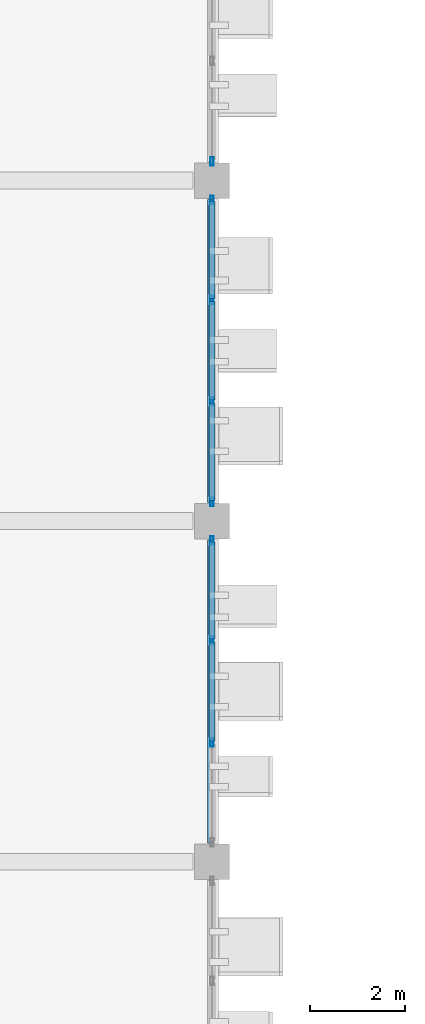
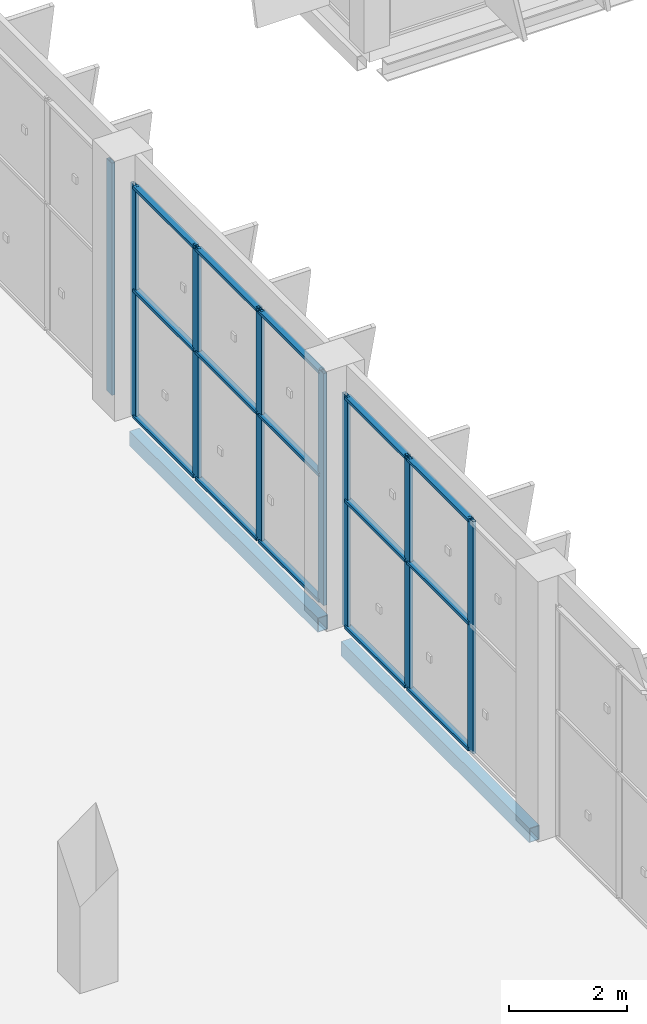
# One storey, part 73 of 189: 23 members, 2 beams, 3 elements without a shape of their own.
"""IFC4 building model written with IfcOpenShell, lengths in metres."""

from ifc_helpers import new_model, si_unit, direction, frame, origin, origin_2d, place, context, subcontext, project, spatial, hollow_rectangle, extrude, material, layer, layer_set, material_profile, profile_set, type_object, element, aggregate, save


model = new_model("IFC4")

# Units and contexts
model_context = context("Model", 3, precision=1e-05, world=origin(), true_north=direction((0.0, 1.0)))
body_context = subcontext(model_context, "Body", "Model", "MODEL_VIEW")
ifc_project = project(units=[si_unit("LENGTHUNIT", "METRE"), si_unit("AREAUNIT", "SQUARE_METRE"), si_unit("VOLUMEUNIT", "CUBIC_METRE"), si_unit("PLANEANGLEUNIT", "RADIAN"), si_unit("MASSUNIT", "GRAM", prefix="KILO")], contexts=[model_context])

# Site, building, storey
site_placement = place(None, origin())
site = spatial("IfcSite", under=ifc_project, at=site_placement, CompositionType="ELEMENT")
building_placement = place(site_placement, origin())
building = spatial("IfcBuilding", under=site, at=building_placement, Name="Celestram Park Convention Centre", CompositionType="ELEMENT")
storey_placement = place(building_placement, frame((0.0, 0.0, 5.39990234375)))
storey = spatial("IfcBuildingStorey", under=building, at=storey_placement, Name="L01", CompositionType="ELEMENT", Elevation=5.39990234375)

# Curtain wall, member
ifc_material_1 = material(Name="Anodised Aluminium Alloy 6063-T6", Category="aluminium")
ifc_layer = layer(ifc_material_1, 0.179931640625)
ifc_layer_set = layer_set([ifc_layer], Name="Anodised Aluminium Alloy 6063-T6")
curtain_wall_type = type_object("IfcCurtainWallType", Name="ARC-CW-645X482", PredefinedType="NOTDEFINED", material=ifc_layer_set)
curtain_wall_1_placement = place(storey_placement, origin())
curtain_wall_1 = element("IfcCurtainWall", 1, at=curtain_wall_1_placement, inside=storey, type_object=curtain_wall_type, Name="Unitised curtain wall CU-L01-087", PredefinedType="NOTDEFINED")
ifc_material_profile_1 = material_profile(ifc_material_1, hollow_rectangle(XDim=0.06494140625, YDim=0.179931640625, WallThickness=0.00390625, at=origin_2d()), Name="ALU65X180X4")
ifc_profile_set_1 = profile_set([ifc_material_profile_1], Name="Anodised Aluminium Alloy 6063-T6")
member_type_1 = type_object("IfcMemberType", Name="ARC-CWM-150", PredefinedType="MULLION", material=ifc_profile_set_1)
member_1_placement = place(storey_placement, frame((144.0, 108.405517578125, 0.0), z_axis=(0.0, 0.0, 1.0), x_axis=(1.0, 0.0, 0.0)))
member_1 = element("IfcMember", 2, at=member_1_placement, type_object=member_type_1, Name="CW-64X48 mullion 4", PredefinedType="MULLION", context=body_context, shape_type="SweptSolid", body=[
    extrude(hollow_rectangle(XDim=0.06494140625, YDim=0.179931640625, WallThickness=0.00390625, at=origin_2d()), origin(), (0.0, 0.0, 1.0), 4.820068359375),
])
aggregate(curtain_wall_1, [member_1])

# Curtain wall, members
curtain_wall_2_placement = place(storey_placement, origin())
curtain_wall_2 = element("IfcCurtainWall", 3, at=curtain_wall_2_placement, inside=storey, type_object=curtain_wall_type, Name="Unitised curtain wall CU-L01-088", PredefinedType="NOTDEFINED")
member_2_placement = place(storey_placement, frame((144.0, 107.594482421875, 0.0), z_axis=(0.0, 0.0, 1.0), x_axis=(1.0, 0.0, 0.0)))
member_2 = element("IfcMember", 4, at=member_2_placement, type_object=member_type_1, Name="CW-64X48 mullion 1", PredefinedType="MULLION", context=body_context, shape_type="SweptSolid", body=[
    extrude(hollow_rectangle(XDim=0.06494140625, YDim=0.179931640625, WallThickness=0.00390625, at=origin_2d()), origin(), (0.0, 0.0, 1.0), 4.820068359375),
])
member_3_placement = place(storey_placement, frame((144.0, 105.4755859375, 0.0), z_axis=(0.0, 0.0, 1.0), x_axis=(1.0, 0.0, 0.0)))
member_3 = element("IfcMember", 5, at=member_3_placement, type_object=member_type_1, Name="CW-64X48 mullion 2", PredefinedType="MULLION", context=body_context, shape_type="SweptSolid", body=[
    extrude(hollow_rectangle(XDim=0.06494140625, YDim=0.179931640625, WallThickness=0.00390625, at=origin_2d()), origin(), (0.0, 0.0, 1.0), 4.820068359375),
])
member_4_placement = place(storey_placement, frame((144.0, 103.32421875, 0.0), z_axis=(0.0, 0.0, 1.0), x_axis=(1.0, 0.0, 0.0)))
member_4 = element("IfcMember", 6, at=member_4_placement, type_object=member_type_1, Name="CW-64X48 mullion 3", PredefinedType="MULLION", context=body_context, shape_type="SweptSolid", body=[
    extrude(hollow_rectangle(XDim=0.06494140625, YDim=0.179931640625, WallThickness=0.00390625, at=origin_2d()), origin(), (0.0, 0.0, 1.0), 4.820068359375),
])
member_5_placement = place(storey_placement, frame((144.0, 101.20556640625, 0.0), z_axis=(0.0, 0.0, 1.0), x_axis=(1.0, 0.0, 0.0)))
member_5 = element("IfcMember", 7, at=member_5_placement, type_object=member_type_1, Name="CW-64X48 mullion 4", PredefinedType="MULLION", context=body_context, shape_type="SweptSolid", body=[
    extrude(hollow_rectangle(XDim=0.06494140625, YDim=0.179931640625, WallThickness=0.00390625, at=origin_2d()), origin(), (0.0, 0.0, 1.0), 4.820068359375),
])

curtain_wall_3_placement = place(storey_placement, origin())
curtain_wall_3 = element("IfcCurtainWall", 8, at=curtain_wall_3_placement, inside=storey, type_object=curtain_wall_type, Name="Unitised curtain wall CU-L01-089", PredefinedType="NOTDEFINED")
member_6_placement = place(storey_placement, frame((144.0, 100.39453125, 0.0), z_axis=(0.0, 0.0, 1.0), x_axis=(1.0, 0.0, 0.0)))
member_6 = element("IfcMember", 9, at=member_6_placement, type_object=member_type_1, Name="CW-64X48 mullion 1", PredefinedType="MULLION", context=body_context, shape_type="SweptSolid", body=[
    extrude(hollow_rectangle(XDim=0.06494140625, YDim=0.179931640625, WallThickness=0.00390625, at=origin_2d()), origin(), (0.0, 0.0, 1.0), 4.820068359375),
])
member_7_placement = place(storey_placement, frame((144.0, 98.275634765625, 0.0), z_axis=(0.0, 0.0, 1.0), x_axis=(1.0, 0.0, 0.0)))
member_7 = element("IfcMember", 10, at=member_7_placement, type_object=member_type_1, Name="CW-64X48 mullion 2", PredefinedType="MULLION", context=body_context, shape_type="SweptSolid", body=[
    extrude(hollow_rectangle(XDim=0.06494140625, YDim=0.179931640625, WallThickness=0.00390625, at=origin_2d()), origin(), (0.0, 0.0, 1.0), 4.820068359375),
])
member_8_placement = place(storey_placement, frame((144.0, 96.124267578125, 0.0), z_axis=(0.0, 0.0, 1.0), x_axis=(1.0, 0.0, 0.0)))
member_8 = element("IfcMember", 11, at=member_8_placement, type_object=member_type_1, Name="CW-64X48 mullion 3", PredefinedType="MULLION", context=body_context, shape_type="SweptSolid", body=[
    extrude(hollow_rectangle(XDim=0.06494140625, YDim=0.179931640625, WallThickness=0.00390625, at=origin_2d()), origin(), (0.0, 0.0, 1.0), 4.820068359375),
])

# Member
ifc_material_profile_2 = material_profile(ifc_material_1, hollow_rectangle(XDim=0.1201171875, YDim=0.06005859375, WallThickness=0.0029296875, at=origin_2d()), Name="ALU120X60X3")
ifc_profile_set_2 = profile_set([ifc_material_profile_2], Name="Anodised Aluminium Alloy 6063-T6")
member_type_2 = type_object("IfcMemberType", Name="ARC-CWT-120", PredefinedType="USERDEFINED", material=ifc_profile_set_2)
member_9_placement = place(storey_placement, frame((144.0, 107.56201171875, 0.030029296875), z_axis=(0.0, -1.0, 0.0), x_axis=(1.0, 0.0, 0.0)))
member_9 = element("IfcMember", 12, at=member_9_placement, type_object=member_type_2, Name="CW-64X48 transom 1.1", ObjectType="TRANSOM", PredefinedType="USERDEFINED", context=body_context, shape_type="SweptSolid", body=[
    extrude(hollow_rectangle(XDim=0.1201171875, YDim=0.06005859375, WallThickness=0.0029296875, at=origin_2d()), origin(), (0.0, 0.0, 1.0), 2.053955078125),
])

member_10_placement = place(storey_placement, frame((144.0, 107.56201171875, 2.650146484375), z_axis=(0.0, -1.0, 0.0), x_axis=(1.0, 0.0, 0.0)))
member_10 = element("IfcMember", 13, at=member_10_placement, type_object=member_type_2, Name="CW-64X48 transom 1.2", ObjectType="TRANSOM", PredefinedType="USERDEFINED", context=body_context, shape_type="SweptSolid", body=[
    extrude(hollow_rectangle(XDim=0.1201171875, YDim=0.06005859375, WallThickness=0.0029296875, at=origin_2d()), origin(), (0.0, 0.0, 1.0), 2.053955078125),
])

member_11_placement = place(storey_placement, frame((144.0, 107.56201171875, 4.7900390625), z_axis=(0.0, -1.0, 0.0), x_axis=(1.0, 0.0, 0.0)))
member_11 = element("IfcMember", 14, at=member_11_placement, type_object=member_type_2, Name="CW-64X48 transom 1.3", ObjectType="TRANSOM", PredefinedType="USERDEFINED", context=body_context, shape_type="SweptSolid", body=[
    extrude(hollow_rectangle(XDim=0.1201171875, YDim=0.06005859375, WallThickness=0.0029296875, at=origin_2d()), origin(), (0.0, 0.0, 1.0), 2.053955078125),
])

member_12_placement = place(storey_placement, frame((144.0, 105.443115234375, 0.030029296875), z_axis=(0.0, -1.0, 0.0), x_axis=(1.0, 0.0, 0.0)))
member_12 = element("IfcMember", 15, at=member_12_placement, type_object=member_type_2, Name="CW-64X48 transom 2.1", ObjectType="TRANSOM", PredefinedType="USERDEFINED", context=body_context, shape_type="SweptSolid", body=[
    extrude(hollow_rectangle(XDim=0.1201171875, YDim=0.06005859375, WallThickness=0.0029296875, at=origin_2d()), origin(), (0.0, 0.0, 1.0), 2.086181640625),
])

member_13_placement = place(storey_placement, frame((144.0, 105.443115234375, 2.650146484375), z_axis=(0.0, -1.0, 0.0), x_axis=(1.0, 0.0, 0.0)))
member_13 = element("IfcMember", 16, at=member_13_placement, type_object=member_type_2, Name="CW-64X48 transom 2.2", ObjectType="TRANSOM", PredefinedType="USERDEFINED", context=body_context, shape_type="SweptSolid", body=[
    extrude(hollow_rectangle(XDim=0.1201171875, YDim=0.06005859375, WallThickness=0.0029296875, at=origin_2d()), origin(), (0.0, 0.0, 1.0), 2.086181640625),
])

member_14_placement = place(storey_placement, frame((144.0, 105.443115234375, 4.7900390625), z_axis=(0.0, -1.0, 0.0), x_axis=(1.0, 0.0, 0.0)))
member_14 = element("IfcMember", 17, at=member_14_placement, type_object=member_type_2, Name="CW-64X48 transom 2.3", ObjectType="TRANSOM", PredefinedType="USERDEFINED", context=body_context, shape_type="SweptSolid", body=[
    extrude(hollow_rectangle(XDim=0.1201171875, YDim=0.06005859375, WallThickness=0.0029296875, at=origin_2d()), origin(), (0.0, 0.0, 1.0), 2.086181640625),
])

member_15_placement = place(storey_placement, frame((144.0, 103.291748046875, 0.030029296875), z_axis=(0.0, -1.0, 0.0), x_axis=(1.0, 0.0, 0.0)))
member_15 = element("IfcMember", 18, at=member_15_placement, type_object=member_type_2, Name="CW-64X48 transom 3.1", ObjectType="TRANSOM", PredefinedType="USERDEFINED", context=body_context, shape_type="SweptSolid", body=[
    extrude(hollow_rectangle(XDim=0.1201171875, YDim=0.06005859375, WallThickness=0.0029296875, at=origin_2d()), origin(), (0.0, 0.0, 1.0), 2.0537109375),
])

member_16_placement = place(storey_placement, frame((144.0, 103.291748046875, 2.650146484375), z_axis=(0.0, -1.0, 0.0), x_axis=(1.0, 0.0, 0.0)))
member_16 = element("IfcMember", 19, at=member_16_placement, type_object=member_type_2, Name="CW-64X48 transom 3.2", ObjectType="TRANSOM", PredefinedType="USERDEFINED", context=body_context, shape_type="SweptSolid", body=[
    extrude(hollow_rectangle(XDim=0.1201171875, YDim=0.06005859375, WallThickness=0.0029296875, at=origin_2d()), origin(), (0.0, 0.0, 1.0), 2.0537109375),
])

member_17_placement = place(storey_placement, frame((144.0, 103.291748046875, 4.7900390625), z_axis=(0.0, -1.0, 0.0), x_axis=(1.0, 0.0, 0.0)))
member_17 = element("IfcMember", 20, at=member_17_placement, type_object=member_type_2, Name="CW-64X48 transom 3.3", ObjectType="TRANSOM", PredefinedType="USERDEFINED", context=body_context, shape_type="SweptSolid", body=[
    extrude(hollow_rectangle(XDim=0.1201171875, YDim=0.06005859375, WallThickness=0.0029296875, at=origin_2d()), origin(), (0.0, 0.0, 1.0), 2.0537109375),
])

aggregate(curtain_wall_2, [member_2, member_3, member_4, member_5, member_9, member_10, member_11, member_12, member_13, member_14, member_15, member_16, member_17])

member_18_placement = place(storey_placement, frame((144.0, 100.362060546875, 0.030029296875), z_axis=(0.0, -1.0, 0.0), x_axis=(1.0, 0.0, 0.0)))
member_18 = element("IfcMember", 21, at=member_18_placement, type_object=member_type_2, Name="CW-64X48 transom 1.1", ObjectType="TRANSOM", PredefinedType="USERDEFINED", context=body_context, shape_type="SweptSolid", body=[
    extrude(hollow_rectangle(XDim=0.1201171875, YDim=0.06005859375, WallThickness=0.0029296875, at=origin_2d()), origin(), (0.0, 0.0, 1.0), 2.053955078125),
])

member_19_placement = place(storey_placement, frame((144.0, 100.362060546875, 2.650146484375), z_axis=(0.0, -1.0, 0.0), x_axis=(1.0, 0.0, 0.0)))
member_19 = element("IfcMember", 22, at=member_19_placement, type_object=member_type_2, Name="CW-64X48 transom 1.2", ObjectType="TRANSOM", PredefinedType="USERDEFINED", context=body_context, shape_type="SweptSolid", body=[
    extrude(hollow_rectangle(XDim=0.1201171875, YDim=0.06005859375, WallThickness=0.0029296875, at=origin_2d()), origin(), (0.0, 0.0, 1.0), 2.053955078125),
])

member_20_placement = place(storey_placement, frame((144.0, 100.362060546875, 4.7900390625), z_axis=(0.0, -1.0, 0.0), x_axis=(1.0, 0.0, 0.0)))
member_20 = element("IfcMember", 23, at=member_20_placement, type_object=member_type_2, Name="CW-64X48 transom 1.3", ObjectType="TRANSOM", PredefinedType="USERDEFINED", context=body_context, shape_type="SweptSolid", body=[
    extrude(hollow_rectangle(XDim=0.1201171875, YDim=0.06005859375, WallThickness=0.0029296875, at=origin_2d()), origin(), (0.0, 0.0, 1.0), 2.053955078125),
])

member_21_placement = place(storey_placement, frame((144.0, 98.2431640625, 0.030029296875), z_axis=(0.0, -1.0, 0.0), x_axis=(1.0, 0.0, 0.0)))
member_21 = element("IfcMember", 24, at=member_21_placement, type_object=member_type_2, Name="CW-64X48 transom 2.1", ObjectType="TRANSOM", PredefinedType="USERDEFINED", context=body_context, shape_type="SweptSolid", body=[
    extrude(hollow_rectangle(XDim=0.1201171875, YDim=0.06005859375, WallThickness=0.0029296875, at=origin_2d()), origin(), (0.0, 0.0, 1.0), 2.08642578125),
])

member_22_placement = place(storey_placement, frame((144.0, 98.2431640625, 2.650146484375), z_axis=(0.0, -1.0, 0.0), x_axis=(1.0, 0.0, 0.0)))
member_22 = element("IfcMember", 25, at=member_22_placement, type_object=member_type_2, Name="CW-64X48 transom 2.2", ObjectType="TRANSOM", PredefinedType="USERDEFINED", context=body_context, shape_type="SweptSolid", body=[
    extrude(hollow_rectangle(XDim=0.1201171875, YDim=0.06005859375, WallThickness=0.0029296875, at=origin_2d()), origin(), (0.0, 0.0, 1.0), 2.08642578125),
])

member_23_placement = place(storey_placement, frame((144.0, 98.2431640625, 4.7900390625), z_axis=(0.0, -1.0, 0.0), x_axis=(1.0, 0.0, 0.0)))
member_23 = element("IfcMember", 26, at=member_23_placement, type_object=member_type_2, Name="CW-64X48 transom 2.3", ObjectType="TRANSOM", PredefinedType="USERDEFINED", context=body_context, shape_type="SweptSolid", body=[
    extrude(hollow_rectangle(XDim=0.1201171875, YDim=0.06005859375, WallThickness=0.0029296875, at=origin_2d()), origin(), (0.0, 0.0, 1.0), 2.08642578125),
])

aggregate(curtain_wall_3, [member_6, member_7, member_8, member_18, member_19, member_20, member_21, member_22, member_23])

# Beams
ifc_material_2 = material(Name="Steel ASTM A500 Grade C", Category="steel")
ifc_material_profile_3 = material_profile(ifc_material_2, hollow_rectangle(XDim=0.199951171875, YDim=0.300048828125, WallThickness=0.011962890625, at=origin_2d()), Name="HSS300X200X12")
ifc_profile_set_3 = profile_set([ifc_material_profile_3], Name="Steel ASTM A500 Grade C")
beam_type = type_object("IfcBeamType", Name="STR-SPN-HSS300X200", PredefinedType="SPANDREL", material=ifc_profile_set_3)
for number, where, z_axis, x_axis, name in (
    (27, (144.0, 93.998046875, -0.429931640625), (0.0, 1.0, 0.0), (-1.0, 0.0, 0.0), "Primary Y-girder BG-L01-0343"),
    (28, (144.0, 101.197998046875, -0.429931640625), (0.0, 1.0, 0.0), (-1.0, 0.0, 0.0), "Primary Y-girder BG-L01-0344"),
):
    element("IfcBeam", number, at=place(storey_placement, frame(where, z_axis=z_axis, x_axis=x_axis)), inside=storey, type_object=beam_type, Name=name, PredefinedType="SPANDREL", context=body_context, shape_type="SweptSolid", body=[
        extrude(hollow_rectangle(XDim=0.199951171875, YDim=0.300048828125, WallThickness=0.011962890625, at=origin_2d()), origin(), (0.0, 0.0, 1.0), 6.404052734375),
    ])

save(model, "model.ifc")
